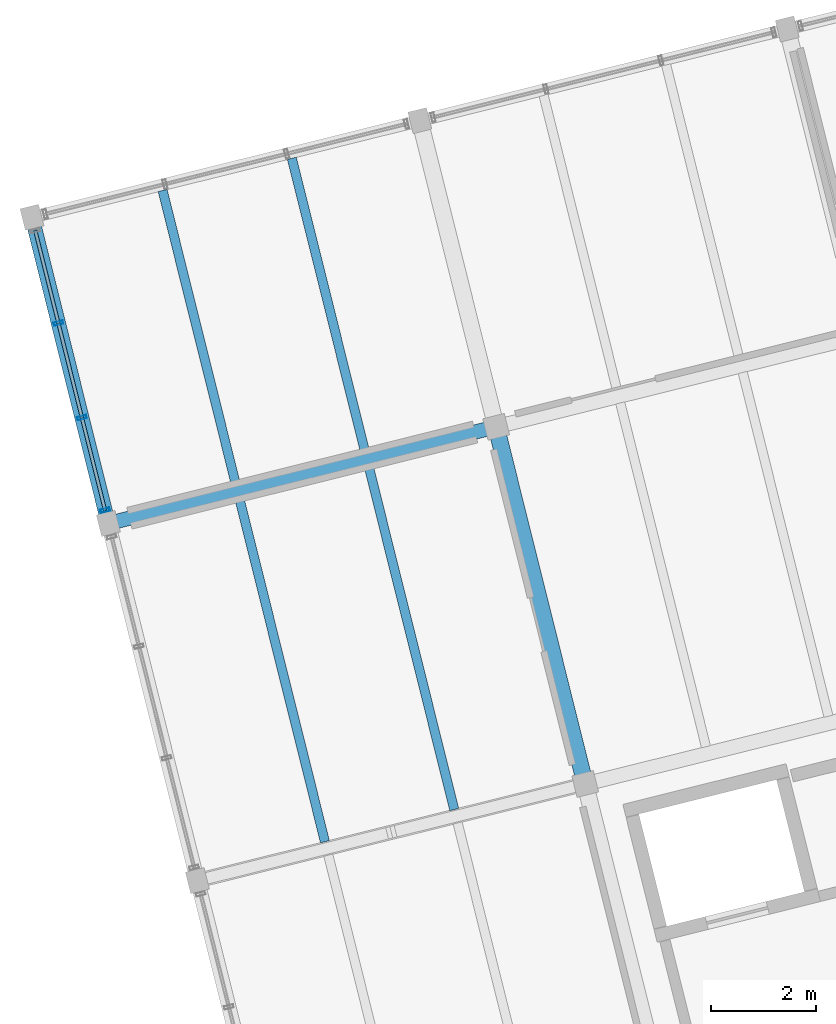
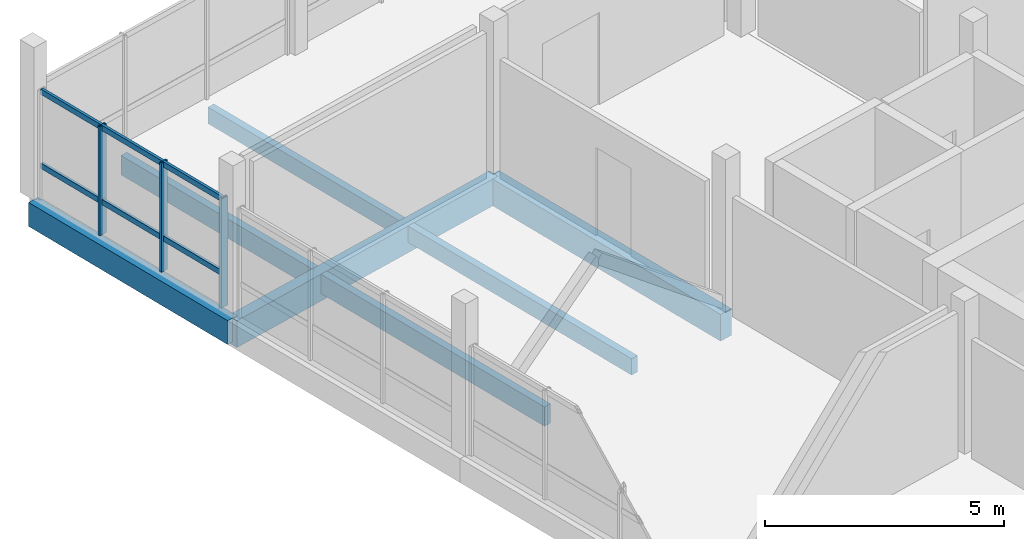
# One storey, part 9 of 27: 9 members, 7 beams, 1 element without a shape of its own.
"""IFC4 building model written with IfcOpenShell, lengths in metres."""

from ifc_helpers import new_model, si_unit, direction, frame, origin, origin_2d, place, context, subcontext, project, spatial, rectangle, hollow_rectangle, extrude, material, layer, layer_set, material_profile, profile_set, type_object, element, aggregate, save


model = new_model("IFC4")

# Units and contexts
model_context = context("Model", 3, precision=1e-05, world=origin(), true_north=direction((0.0, 1.0)))
body_context = subcontext(model_context, "Body", "Model", "MODEL_VIEW")
ifc_project = project(units=[si_unit("LENGTHUNIT", "METRE"), si_unit("AREAUNIT", "SQUARE_METRE"), si_unit("VOLUMEUNIT", "CUBIC_METRE"), si_unit("PLANEANGLEUNIT", "RADIAN"), si_unit("MASSUNIT", "GRAM", prefix="KILO")], contexts=[model_context])

# Site, building, storey
site_placement = place(None, origin())
site = spatial("IfcSite", under=ifc_project, at=site_placement, CompositionType="ELEMENT")
building_placement = place(site_placement, origin())
building = spatial("IfcBuilding", under=site, at=building_placement, Name="Meriwether Solvik Hall", CompositionType="ELEMENT")
storey_placement = place(building_placement, frame((0.0, 0.0, 33.89990234375)))
storey = spatial("IfcBuildingStorey", under=building, at=storey_placement, Name="L08", CompositionType="ELEMENT", Elevation=33.89990234375)

# Beams
ifc_material_1 = material(Name="Glulam Douglas-Fir 24F-V8 GL28h", Category="wood")
ifc_material_profile_1 = material_profile(ifc_material_1, rectangle(XDim=0.27294921875, YDim=0.610107421875, at=origin_2d()), Name="GLB-273X610")
ifc_profile_set_1 = profile_set([ifc_material_profile_1], Name="Glulam Douglas-Fir 24F-V8 GL28h")
beam_type_1 = type_object("IfcBeamType", Name="BM-GL-273X610", PredefinedType="SPANDREL", material=ifc_profile_set_1)
beam_1_placement = place(storey_placement, frame((61.826171875, 68.3681640625, -0.48486328125), z_axis=(-0.241903677572, 0.970300268359, 0.0), x_axis=(-0.970300268359, -0.241903677572, 0.0)))
element("IfcBeam", 1, at=beam_1_placement, inside=storey, type_object=beam_type_1, Name="Tower Girder T1:TE-TF (L08)", PredefinedType="SPANDREL", context=body_context, shape_type="SweptSolid", body=[
    extrude(rectangle(XDim=0.27294921875, YDim=0.610107421875, at=origin_2d()), origin(), (0.0, 0.0, 1.0), 6.0),
])
ifc_material_2 = material(Name="Glulam Douglas-Fir 24F-V8 GL28h", Category="wood")
ifc_material_profile_2 = material_profile(ifc_material_2, rectangle(XDim=0.27294921875, YDim=0.68505859375, at=origin_2d()), Name="GLB-273X685")
ifc_profile_set_2 = profile_set([ifc_material_profile_2], Name="Glulam Douglas-Fir 24F-V8 GL28h")
beam_type_2 = type_object("IfcBeamType", Name="BM-GL-273X685", PredefinedType="BEAM", material=ifc_profile_set_2)
beam_2_placement = place(storey_placement, frame((61.826171875, 68.3681640625, -0.5224609375), z_axis=(0.970295366785, 0.241923337436, 0.0), x_axis=(-0.241923337436, 0.970295366785, 0.0)))
element("IfcBeam", 2, at=beam_2_placement, inside=storey, type_object=beam_type_2, Name="Tower Girder TE:T1-T2 (L08)", PredefinedType="BEAM", context=body_context, shape_type="SweptSolid", body=[
    extrude(rectangle(XDim=0.27294921875, YDim=0.68505859375, at=origin_2d()), origin(), (0.0, 0.0, 1.0), 7.60009765625),
])
ifc_material_3 = material(Name="Glulam Douglas-Fir 24F-V8 GL28h", Category="wood")
ifc_material_profile_3 = material_profile(ifc_material_3, rectangle(XDim=0.31494140625, YDim=0.68505859375, at=origin_2d()), Name="GLB-315X685")
ifc_profile_set_3 = profile_set([ifc_material_profile_3], Name="Glulam Douglas-Fir 24F-V8 GL28h")
beam_type_3 = type_object("IfcBeamType", Name="BM-GL-315X685", PredefinedType="BEAM", material=ifc_profile_set_3)
beam_3_placement = place(storey_placement, frame((70.893798828125, 63.414794921875, -0.5224609375), z_axis=(-0.241911879182, 0.970298223594, 0.0), x_axis=(-0.970298223594, -0.241911879182, 0.0)))
element("IfcBeam", 3, at=beam_3_placement, inside=storey, type_object=beam_type_3, Name="Tower Girder T2:TD-TE (L08)", PredefinedType="BEAM", context=body_context, shape_type="SweptSolid", body=[
    extrude(rectangle(XDim=0.31494140625, YDim=0.68505859375, at=origin_2d()), origin(), (0.0, 0.0, 1.0), 7.0),
])

# Curtain wall, members
ifc_material_4 = material(Name="Thermally Broken Anodised Aluminium 6063-T6 and Low-E Glass", Category="aluminium")
ifc_layer = layer(ifc_material_4, 0.179931640625)
ifc_layer_set = layer_set([ifc_layer], Name="Thermally Broken Anodised Aluminium 6063-T6 and Low-E Glass")
curtain_wall_type = type_object("IfcCurtainWallType", Name="CW-UNIT-C", PredefinedType="USERDEFINED", material=ifc_layer_set)
curtain_wall_placement = place(storey_placement, origin())
curtain_wall = element("IfcCurtainWall", 4, at=curtain_wall_placement, inside=storey, type_object=curtain_wall_type, Name="Curtain Wall E7_B4 (L08)", ObjectType="UNITISED CURTAIN WALL", PredefinedType="USERDEFINED")
ifc_material_5 = material(Name="Anodised Aluminium 6063-T6", Category="aluminium")
ifc_material_profile_4 = material_profile(ifc_material_5, hollow_rectangle(XDim=0.06494140625, YDim=0.179931640625, WallThickness=0.00439453125, at=origin_2d()), Name="CWM-65X180")
ifc_profile_set_4 = profile_set([ifc_material_profile_4], Name="Anodised Aluminium 6063-T6")
member_type_1 = type_object("IfcMemberType", Name="CW-MUL-65X180", PredefinedType="MULLION", material=ifc_profile_set_4)
member_1_placement = place(storey_placement, frame((61.76318359375, 68.62060546875, 0.0), z_axis=(0.0, 0.0, 1.0), x_axis=(-0.241921889131, 0.970295727889, 0.0)))
member_1 = element("IfcMember", 5, at=member_1_placement, type_object=member_type_1, Name="Curtain Wall Mullion 1", PredefinedType="MULLION", context=body_context, shape_type="SweptSolid", body=[
    extrude(hollow_rectangle(XDim=0.06494140625, YDim=0.179931640625, WallThickness=0.00439453125, at=origin_2d()), origin(), (0.0, 0.0, 1.0), 2.7900390625),
])
member_2_placement = place(storey_placement, frame((61.324462890625, 70.380615234375, 0.0), z_axis=(0.0, 0.0, 1.0), x_axis=(-0.241921889131, 0.970295727889, 0.0)))
member_2 = element("IfcMember", 6, at=member_2_placement, type_object=member_type_1, Name="Curtain Wall Mullion 2", PredefinedType="MULLION", context=body_context, shape_type="SweptSolid", body=[
    extrude(hollow_rectangle(XDim=0.06494140625, YDim=0.179931640625, WallThickness=0.00439453125, at=origin_2d()), origin(), (0.0, 0.0, 1.0), 2.7900390625),
])
member_3_placement = place(storey_placement, frame((60.87646484375, 72.177734375, 0.0), z_axis=(0.0, 0.0, 1.0), x_axis=(-0.241921889131, 0.970295727889, 0.0)))
member_3 = element("IfcMember", 7, at=member_3_placement, type_object=member_type_1, Name="Curtain Wall Mullion 3", PredefinedType="MULLION", context=body_context, shape_type="SweptSolid", body=[
    extrude(hollow_rectangle(XDim=0.06494140625, YDim=0.179931640625, WallThickness=0.00439453125, at=origin_2d()), origin(), (0.0, 0.0, 1.0), 2.7900390625),
])
ifc_material_6 = material(Name="Anodised Aluminium 6063-T6", Category="aluminium")
ifc_material_profile_5 = material_profile(ifc_material_6, hollow_rectangle(XDim=0.06494140625, YDim=0.139892578125, WallThickness=0.00439453125, at=origin_2d()), Name="CWT-65X140")
ifc_profile_set_5 = profile_set([ifc_material_profile_5], Name="Anodised Aluminium 6063-T6")
member_type_2 = type_object("IfcMemberType", Name="CW-TRN-65X140", PredefinedType="USERDEFINED", material=ifc_profile_set_5)
member_4_placement = place(storey_placement, frame((61.76318359375, 68.62060546875, 0.837158203125), z_axis=(-0.241870501362, 0.970308538853, 0.0), x_axis=(-0.970308538853, -0.241870501362, 0.0)))
member_4 = element("IfcMember", 8, at=member_4_placement, type_object=member_type_2, Name="Curtain Wall Transom 1-sill", ObjectType="TRANSOM", PredefinedType="USERDEFINED", context=body_context, shape_type="SweptSolid", body=[
    extrude(hollow_rectangle(XDim=0.06494140625, YDim=0.139892578125, WallThickness=0.00439453125, at=origin_2d()), origin(), (0.0, 0.0, 1.0), 1.81396484375),
])
member_5_placement = place(storey_placement, frame((61.76318359375, 68.62060546875, 2.72998046875), z_axis=(-0.241870501362, 0.970308538853, 0.0), x_axis=(-0.970308538853, -0.241870501362, 0.0)))
member_5 = element("IfcMember", 9, at=member_5_placement, type_object=member_type_2, Name="Curtain Wall Transom 1-head", ObjectType="TRANSOM", PredefinedType="USERDEFINED", context=body_context, shape_type="SweptSolid", body=[
    extrude(hollow_rectangle(XDim=0.06494140625, YDim=0.139892578125, WallThickness=0.00439453125, at=origin_2d()), origin(), (0.0, 0.0, 1.0), 1.81396484375),
])
member_6_placement = place(storey_placement, frame((61.324462890625, 70.380615234375, 0.837158203125), z_axis=(-0.241884239197, 0.970305114295, 0.0), x_axis=(-0.970305114295, -0.241884239197, 0.0)))
member_6 = element("IfcMember", 10, at=member_6_placement, type_object=member_type_2, Name="Curtain Wall Transom 2-sill", ObjectType="TRANSOM", PredefinedType="USERDEFINED", context=body_context, shape_type="SweptSolid", body=[
    extrude(hollow_rectangle(XDim=0.06494140625, YDim=0.139892578125, WallThickness=0.00439453125, at=origin_2d()), origin(), (0.0, 0.0, 1.0), 1.85205078125),
])
member_7_placement = place(storey_placement, frame((61.324462890625, 70.380615234375, 2.72998046875), z_axis=(-0.241884239197, 0.970305114295, 0.0), x_axis=(-0.970305114295, -0.241884239197, 0.0)))
member_7 = element("IfcMember", 11, at=member_7_placement, type_object=member_type_2, Name="Curtain Wall Transom 2-head", ObjectType="TRANSOM", PredefinedType="USERDEFINED", context=body_context, shape_type="SweptSolid", body=[
    extrude(hollow_rectangle(XDim=0.06494140625, YDim=0.139892578125, WallThickness=0.00439453125, at=origin_2d()), origin(), (0.0, 0.0, 1.0), 1.85205078125),
])
member_8_placement = place(storey_placement, frame((60.87646484375, 72.177734375, 0.837158203125), z_axis=(-0.241997217907, 0.97027694321, 0.0), x_axis=(-0.97027694321, -0.241997217907, 0.0)))
member_8 = element("IfcMember", 12, at=member_8_placement, type_object=member_type_2, Name="Curtain Wall Transom 3-sill", ObjectType="TRANSOM", PredefinedType="USERDEFINED", context=body_context, shape_type="SweptSolid", body=[
    extrude(hollow_rectangle(XDim=0.06494140625, YDim=0.139892578125, WallThickness=0.00439453125, at=origin_2d()), origin(), (0.0, 0.0, 1.0), 1.81396484375),
])
member_9_placement = place(storey_placement, frame((60.87646484375, 72.177734375, 2.72998046875), z_axis=(-0.241997217907, 0.97027694321, 0.0), x_axis=(-0.97027694321, -0.241997217907, 0.0)))
member_9 = element("IfcMember", 13, at=member_9_placement, type_object=member_type_2, Name="Curtain Wall Transom 3-head", ObjectType="TRANSOM", PredefinedType="USERDEFINED", context=body_context, shape_type="SweptSolid", body=[
    extrude(hollow_rectangle(XDim=0.06494140625, YDim=0.139892578125, WallThickness=0.00439453125, at=origin_2d()), origin(), (0.0, 0.0, 1.0), 1.81396484375),
])
aggregate(curtain_wall, [member_1, member_2, member_3, member_4, member_5, member_6, member_7, member_8, member_9])

# Beams
ifc_material_7 = material(Name="Glulam Douglas-Fir 24F-V8 GL28h", Category="wood")
ifc_material_profile_6 = material_profile(ifc_material_7, rectangle(XDim=0.175048828125, YDim=0.419921875, at=origin_2d()), Name="GLJ-175X420")
ifc_profile_set_6 = profile_set([ifc_material_profile_6], Name="Glulam Douglas-Fir 24F-V8 GL28h")
beam_type_4 = type_object("IfcBeamType", Name="JST-GL-175X420", PredefinedType="JOIST", material=ifc_profile_set_6)
beam_4_placement = place(storey_placement, frame((68.404052734375, 62.929443359375, -0.389892578125), z_axis=(-0.241921670289, 0.970295782452, 0.0), x_axis=(-0.970295782452, -0.241921670289, 0.0)))
element("IfcBeam", 14, at=beam_4_placement, inside=storey, type_object=beam_type_4, Name="Glulam Floor Joist T1/TD-J2 (L08)", PredefinedType="JOIST", context=body_context, shape_type="SweptSolid", body=[
    extrude(rectangle(XDim=0.175048828125, YDim=0.419921875, at=origin_2d()), origin(), (0.0, 0.0, 1.0), 6.7373046875),
])
beam_5_placement = place(storey_placement, frame((66.710693359375, 69.7216796875, -0.389892578125), z_axis=(-0.241957398309, 0.970286873766, 0.0), x_axis=(-0.970286873766, -0.241957398309, 0.0)))
element("IfcBeam", 15, at=beam_5_placement, inside=storey, type_object=beam_type_4, Name="Glulam Floor Joist T1/TE-J2 (L08)", PredefinedType="JOIST", context=body_context, shape_type="SweptSolid", body=[
    extrude(rectangle(XDim=0.175048828125, YDim=0.419921875, at=origin_2d()), origin(), (0.0, 0.0, 1.0), 5.762451171875),
])
ifc_material_8 = material(Name="Glulam Douglas-Fir 24F-V8 GL28h", Category="wood")
ifc_material_profile_7 = material_profile(ifc_material_8, rectangle(XDim=0.175048828125, YDim=0.4951171875, at=origin_2d()), Name="GLJ-175X495")
ifc_profile_set_7 = profile_set([ifc_material_profile_7], Name="Glulam Douglas-Fir 24F-V8 GL28h")
beam_type_5 = type_object("IfcBeamType", Name="JST-GL-175X495", PredefinedType="JOIST", material=ifc_profile_set_7)
beam_6_placement = place(storey_placement, frame((65.94580078125, 62.316650390625, -0.427490234375), z_axis=(-0.241896058636, 0.970302167789, 0.0), x_axis=(-0.970302167789, -0.241896058636, 0.0)))
element("IfcBeam", 16, at=beam_6_placement, inside=storey, type_object=beam_type_5, Name="Glulam Floor Joist T1/TD-J1 (L08)", PredefinedType="JOIST", context=body_context, shape_type="SweptSolid", body=[
    extrude(rectangle(XDim=0.175048828125, YDim=0.4951171875, at=origin_2d()), origin(), (0.0, 0.0, 1.0), 6.73681640625),
])
beam_7_placement = place(storey_placement, frame((64.25244140625, 69.108642578125, -0.427490234375), z_axis=(-0.241917511092, 0.970296819446, 0.0), x_axis=(-0.970296819446, -0.241917511092, 0.0)))
element("IfcBeam", 17, at=beam_7_placement, inside=storey, type_object=beam_type_5, Name="Glulam Floor Joist T1/TE-J1 (L08)", PredefinedType="JOIST", context=body_context, shape_type="SweptSolid", body=[
    extrude(rectangle(XDim=0.175048828125, YDim=0.4951171875, at=origin_2d()), origin(), (0.0, 0.0, 1.0), 5.762451171875),
])

save(model, "model.ifc")
